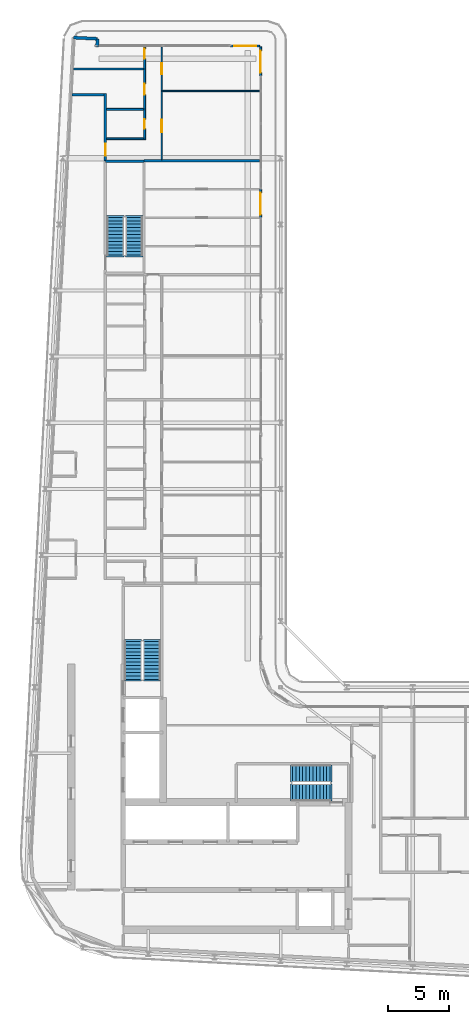
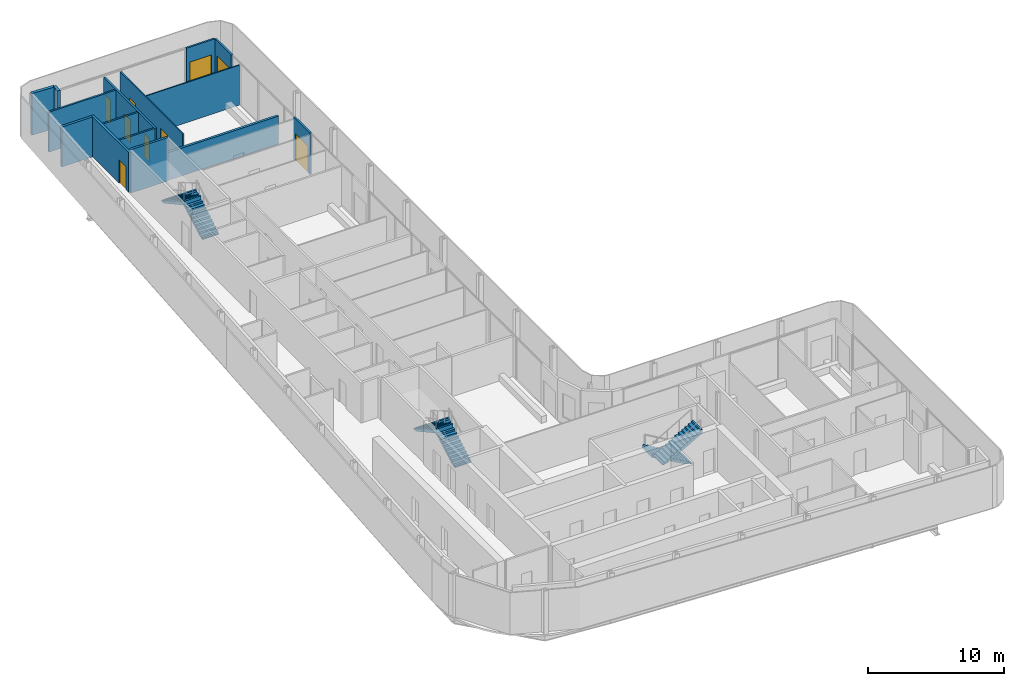
# One storey, part 15 of 21: 15 walls, 9 doors, 6 stair flights, 9 openings, 3 elements without a shape of their own.
"""IFC4 building model written with IfcOpenShell, lengths in metres."""

from ifc_helpers import new_model, si_unit, direction, frame, frame_2d, origin, place, context, subcontext, project, spatial, polyline, rectangle, outline, extrude, source, transform, mapped, material, layer, layer_set, type_object, element, fill, aggregate, save


model = new_model("IFC4")

# Units and contexts
model_context = context("Model", 3, precision=1e-05, world=origin(), true_north=direction((0.0, 1.0)))
body_context = subcontext(model_context, "Body", "Model", "MODEL_VIEW")
ifc_project = project(units=[si_unit("LENGTHUNIT", "METRE"), si_unit("AREAUNIT", "SQUARE_METRE"), si_unit("VOLUMEUNIT", "CUBIC_METRE"), si_unit("PLANEANGLEUNIT", "RADIAN"), si_unit("MASSUNIT", "GRAM", prefix="KILO")], contexts=[model_context])

# Site, building, storey
site_placement = place(None, origin())
site = spatial("IfcSite", under=ifc_project, at=site_placement, CompositionType="ELEMENT")
building_placement = place(site_placement, origin())
building = spatial("IfcBuilding", under=site, at=building_placement, Name="Kheshtan School and Residences Tower", CompositionType="ELEMENT")
storey_placement = place(building_placement, frame((0.0, 0.0, 309.800048828125)))
storey = spatial("IfcBuildingStorey", under=building, at=storey_placement, Name="L73", CompositionType="ELEMENT", Elevation=309.800048828125)

# Wall
ifc_material_1 = material(Name="Gypsum board on steel studs with fire boards", Category="steel")
ifc_layer_1 = layer(ifc_material_1, 0.199951171875)
ifc_layer_set_1 = layer_set([ifc_layer_1], Name="Corridor wall 200")
wall_type_1 = type_object("IfcWallType", Name="Corridor wall 200", PredefinedType="PARTITIONING", material=ifc_layer_set_1)
wall_1_placement = place(storey_placement, frame((30.584716796875, 94.0, 0.0), z_axis=(0.0, 0.0, 1.0), x_axis=(1.0, 0.0, 0.0)))
element("IfcWall", 1, at=wall_1_placement, inside=storey, type_object=wall_type_1, Name="Partition L73-002", PredefinedType="PARTITIONING", context=body_context, shape_type="SweptSolid", body=[
    extrude(rectangle(XDim=2.615234375, YDim=0.199951171875, at=frame_2d((1.3076171875, 0.0))), origin(), (0.0, 0.0, 1.0), 3.599853515625),
])

# Wall, opening, door
wall_2_placement = place(storey_placement, frame((33.300048828125, 88.60009765625, 0.0), z_axis=(0.0, 0.0, 1.0), x_axis=(0.0, 1.0, 0.0)))
wall_2 = element("IfcWall", 2, at=wall_2_placement, inside=storey, type_object=wall_type_1, Name="Partition L73-004", PredefinedType="PARTITIONING", context=body_context, shape_type="SweptSolid", body=[
    extrude(rectangle(XDim=5.5, YDim=0.199951171875, at=frame_2d((2.75, 0.0))), origin(), (0.0, 0.0, 1.0), 3.599853515625),
])
opening_1_placement = place(wall_2_placement, frame((0.39990234375, 0.0, 0.0)))
opening_1 = element("IfcOpeningElement", 3, at=opening_1_placement, cuts=wall_2, Name="Opening D72-033", PredefinedType="OPENING", context=body_context, shape_type="SweptSolid", body=[
    extrude(rectangle(XDim=1.0, YDim=2.10009765625, at=frame_2d((0.5, 1.050048828125))), frame((0.0, 0.10986328125, 0.0), z_axis=(0.0, -1.0, 0.0), x_axis=(1.0, 0.0, 0.0)), (0.0, 0.0, 1.0), 0.219970703125),
])
ifc_material_2 = material(Name="Steel-framed fire-resisting door leaf", Category="steel")
door_type_1 = type_object("IfcDoorType", Name="Fire door FD30S 1000 x 2100", OperationType="SINGLE_SWING_LEFT", PredefinedType="DOOR", material=ifc_material_2)
shared_shape_1 = source(origin(), body_context, "Body", "SweptSolid", [
    extrude(rectangle(XDim=1.0, YDim=2.10009765625, at=frame_2d((0.5, 1.050048828125))), frame((0.0, 0.02490234375, 0.0), z_axis=(0.0, -1.0, 0.0), x_axis=(1.0, 0.0, 0.0)), (0.0, 0.0, 1.0), 0.050048828125),
])
door_1_placement = place(opening_1_placement, origin())
door_1 = element("IfcDoor", 4, at=door_1_placement, inside=storey, type_object=door_type_1, Name="Door D72-033", OperationType="SINGLE_SWING_LEFT", OverallHeight=2.10009765625, OverallWidth=1.0, PredefinedType="DOOR", context=body_context, shape_type="MappedRepresentation", body=[
    mapped(shared_shape_1, transform((0.0, 0.0, 0.0), x_axis=(1.0, 0.0, 0.0), y_axis=(0.0, 1.0, 0.0), z_axis=(0.0, 0.0, 1.0), scale=1.0)),
])
fill(opening_1, door_1)

# Walls
ifc_material_3 = material(Name="Concrete C40/50 with ceramic cladding and mineral wool insulation", Category="concrete")
ifc_layer_2 = layer(ifc_material_3, 0.25)
ifc_layer_set_2 = layer_set([ifc_layer_2], Name="External wall 250 ceramic clad")
wall_type_2 = type_object("IfcWallType", Name="External wall 250 ceramic clad", PredefinedType="SOLIDWALL", material=ifc_layer_set_2)
wall_3_placement = place(storey_placement, frame((30.705078125, 98.6640625, 0.0), z_axis=(0.0, 0.0, 1.0), x_axis=(0.998577785791, -0.053314216913, 0.0)))
element("IfcWall", 5, at=wall_3_placement, inside=storey, type_object=wall_type_2, Name="External wall L73 5", PredefinedType="SOLIDWALL", context=body_context, shape_type="SweptSolid", body=[
    extrude(rectangle(XDim=1.95068359375, YDim=0.25, at=frame_2d((0.975341796875, 0.0))), origin(), (0.0, 0.0, 1.0), 3.75),
])
wall_4_placement = place(storey_placement, frame((32.653076171875, 98.56005859375, 0.0), z_axis=(0.0, 0.0, 1.0), x_axis=(-0.054093451632, -0.998535877418, 0.0)))
element("IfcWall", 6, at=wall_4_placement, inside=storey, type_object=wall_type_2, Name="External wall L73 6", PredefinedType="SOLIDWALL", context=body_context, shape_type="SweptSolid", body=[
    extrude(rectangle(XDim=0.66796875, YDim=0.25, at=frame_2d((0.333984375, 0.0))), origin(), (0.0, 0.0, 1.0), 3.75),
])

# Wall, opening, door
ifc_material_4 = material(Name="Aluminium frame wall with insulated infill", Category="aluminium")
ifc_layer_3 = layer(ifc_material_4, 0.14990234375)
ifc_layer_set_3 = layer_set([ifc_layer_3], Name="Glazing frame wall 150")
wall_type_3 = type_object("IfcWallType", Name="Glazing frame wall 150", PredefinedType="SOLIDWALL", material=ifc_layer_set_3)
wall_5_placement = place(storey_placement, frame((43.5, 97.97509765625, 0.0), z_axis=(0.0, 0.0, 1.0), x_axis=(1.0, 0.0, 0.0)))
wall_5 = element("IfcWall", 7, at=wall_5_placement, inside=storey, type_object=wall_type_3, Name="Balcony door wall L73 7.1", PredefinedType="SOLIDWALL", context=body_context, shape_type="SweptSolid", body=[
    extrude(rectangle(XDim=2.39990234375, YDim=0.14990234375, at=frame_2d((1.199951171875, 0.0))), origin(), (0.0, 0.0, 1.0), 3.75),
])
opening_2_placement = place(wall_5_placement, frame((0.300048828125, 0.0, 0.0)))
opening_2 = element("IfcOpeningElement", 8, at=opening_2_placement, cuts=wall_5, Name="Opening BD", PredefinedType="OPENING", context=body_context, shape_type="SweptSolid", body=[
    extrude(rectangle(XDim=1.800048828125, YDim=2.39990234375, at=frame_2d((0.89990234375, 1.199951171875))), frame((0.0, 0.0849609375, 0.0), z_axis=(0.0, -1.0, 0.0), x_axis=(1.0, 0.0, 0.0)), (0.0, 0.0, 1.0), 0.169921875),
])
ifc_material_5 = material(Name="Clear low-e glass in thermally broken aluminium frame", Category="aluminium")
door_type_2 = type_object("IfcDoorType", Name="Balcony sliding door", OperationType="SLIDING_TO_LEFT", PredefinedType="DOOR", material=ifc_material_5)
shared_shape_2 = source(origin(), body_context, "Body", "SweptSolid", [
    extrude(rectangle(XDim=1.800048828125, YDim=2.39990234375, at=frame_2d((0.89990234375, 1.199951171875))), frame((0.0, 0.02490234375, 0.0), z_axis=(0.0, -1.0, 0.0), x_axis=(1.0, 0.0, 0.0)), (0.0, 0.0, 1.0), 0.050048828125),
])
door_2_placement = place(opening_2_placement, origin())
door_2 = element("IfcDoor", 9, at=door_2_placement, inside=storey, type_object=door_type_2, Name="Balcony door L73 7.1", OperationType="SLIDING_TO_LEFT", OverallHeight=2.39990234375, OverallWidth=1.800048828125, PredefinedType="DOOR", context=body_context, shape_type="MappedRepresentation", body=[
    mapped(shared_shape_2, transform((0.0, 0.0, 0.0), x_axis=(1.0, 0.0, 0.0), y_axis=(0.0, 1.0, 0.0), z_axis=(0.0, 0.0, 1.0), scale=1.0)),
])
fill(opening_2, door_2)

wall_6_placement = place(storey_placement, frame((45.97509765625, 97.89990234375, 0.0), z_axis=(0.0, 0.0, 1.0), x_axis=(0.0, -1.0, 0.0)))
wall_6 = element("IfcWall", 10, at=wall_6_placement, inside=storey, type_object=wall_type_3, Name="Balcony door wall L73 8.1", PredefinedType="SOLIDWALL", context=body_context, shape_type="SweptSolid", body=[
    extrude(rectangle(XDim=2.39990234375, YDim=0.14990234375, at=frame_2d((1.199951171875, 0.0))), origin(), (0.0, 0.0, 1.0), 3.75),
])
opening_3_placement = place(wall_6_placement, frame((0.300048828125, 0.0, 0.0)))
opening_3 = element("IfcOpeningElement", 11, at=opening_3_placement, cuts=wall_6, Name="Opening BD", PredefinedType="OPENING", context=body_context, shape_type="SweptSolid", body=[
    extrude(rectangle(XDim=1.800048828125, YDim=2.39990234375, at=frame_2d((0.89990234375, 1.199951171875))), frame((0.0, 0.0849609375, 0.0), z_axis=(0.0, -1.0, 0.0), x_axis=(1.0, 0.0, 0.0)), (0.0, 0.0, 1.0), 0.169921875),
])
door_3_placement = place(opening_3_placement, origin())
door_3 = element("IfcDoor", 12, at=door_3_placement, inside=storey, type_object=door_type_2, Name="Balcony door L73 8.1", OperationType="SLIDING_TO_LEFT", OverallHeight=2.39990234375, OverallWidth=1.800048828125, PredefinedType="DOOR", context=body_context, shape_type="MappedRepresentation", body=[
    mapped(shared_shape_2, transform((0.0, 0.0, 0.0), x_axis=(1.0, 0.0, 0.0), y_axis=(0.0, 1.0, 0.0), z_axis=(0.0, 0.0, 1.0), scale=1.0)),
])
fill(opening_3, door_3)

wall_7_placement = place(storey_placement, frame((45.97509765625, 86.305908203125, 0.0), z_axis=(0.0, 0.0, 1.0), x_axis=(0.0, -1.0, 0.0)))
wall_7 = element("IfcWall", 13, at=wall_7_placement, inside=storey, type_object=wall_type_3, Name="Balcony door wall L73 8.2", PredefinedType="SOLIDWALL", context=body_context, shape_type="SweptSolid", body=[
    extrude(rectangle(XDim=2.39990234375, YDim=0.14990234375, at=frame_2d((1.199951171875, 0.0))), origin(), (0.0, 0.0, 1.0), 3.75),
])
opening_4_placement = place(wall_7_placement, frame((0.300048828125, 0.0, 0.0)))
opening_4 = element("IfcOpeningElement", 14, at=opening_4_placement, cuts=wall_7, Name="Opening BD", PredefinedType="OPENING", context=body_context, shape_type="SweptSolid", body=[
    extrude(rectangle(XDim=1.800048828125, YDim=2.39990234375, at=frame_2d((0.89990234375, 1.199951171875))), frame((0.0, 0.0849609375, 0.0), z_axis=(0.0, -1.0, 0.0), x_axis=(1.0, 0.0, 0.0)), (0.0, 0.0, 1.0), 0.169921875),
])
door_4_placement = place(opening_4_placement, origin())
door_4 = element("IfcDoor", 15, at=door_4_placement, inside=storey, type_object=door_type_2, Name="Balcony door L73 8.2", OperationType="SLIDING_TO_LEFT", OverallHeight=2.39990234375, OverallWidth=1.800048828125, PredefinedType="DOOR", context=body_context, shape_type="MappedRepresentation", body=[
    mapped(shared_shape_2, transform((0.0, 0.0, 0.0), x_axis=(1.0, 0.0, 0.0), y_axis=(0.0, 1.0, 0.0), z_axis=(0.0, 0.0, 1.0), scale=1.0)),
])
fill(opening_4, door_4)

# Wall, openings, doors
ifc_material_6 = material(Name="Gypsum board on steel studs", Category="steel")
ifc_layer_4 = layer(ifc_material_6, 0.10009765625)
ifc_layer_set_4 = layer_set([ifc_layer_4], Name="Gypsum partition 100")
wall_type_4 = type_object("IfcWallType", Name="Gypsum partition 100", PredefinedType="PARTITIONING", material=ifc_layer_set_4)
wall_8_placement = place(storey_placement, frame((37.89990234375, 88.699951171875, 0.0), z_axis=(0.0, 0.0, 1.0), x_axis=(0.0, 1.0, 0.0)))
wall_8 = element("IfcWall", 16, at=wall_8_placement, inside=storey, type_object=wall_type_4, Name="Partition L73-032", PredefinedType="PARTITIONING", context=body_context, shape_type="SweptSolid", body=[
    extrude(rectangle(XDim=9.199951171875, YDim=0.10009765625, at=frame_2d((4.60009765625, 0.0))), origin(), (0.0, 0.0, 1.0), 3.599853515625),
])
opening_5_placement = place(wall_8_placement, frame((6.949951171875, 0.0, 0.0)))
opening_5 = element("IfcOpeningElement", 17, at=opening_5_placement, cuts=wall_8, Name="Opening D72-032", PredefinedType="OPENING", context=body_context, shape_type="SweptSolid", body=[
    extrude(rectangle(XDim=0.89990234375, YDim=2.10009765625, at=frame_2d((0.449951171875, 1.050048828125))), frame((0.0, 0.06005859375, 0.0), z_axis=(0.0, -1.0, 0.0), x_axis=(1.0, 0.0, 0.0)), (0.0, 0.0, 1.0), 0.1201171875),
])
opening_6_placement = place(wall_8_placement, frame((2.25, 0.0, 0.0)))
opening_6 = element("IfcOpeningElement", 18, at=opening_6_placement, cuts=wall_8, Name="Opening D72-035", PredefinedType="OPENING", context=body_context, shape_type="SweptSolid", body=[
    extrude(rectangle(XDim=1.0, YDim=2.10009765625, at=frame_2d((0.5, 1.050048828125))), frame((0.0, 0.06005859375, 0.0), z_axis=(0.0, -1.0, 0.0), x_axis=(1.0, 0.0, 0.0)), (0.0, 0.0, 1.0), 0.1201171875),
])
ifc_material_7 = material(Name="Veneered timber door leaf", Category="wood")
door_type_3 = type_object("IfcDoorType", Name="Door 1000 x 2100", OperationType="SINGLE_SWING_LEFT", PredefinedType="DOOR", material=ifc_material_7)
shared_shape_3 = source(origin(), body_context, "Body", "SweptSolid", [
    extrude(rectangle(XDim=1.0, YDim=2.10009765625, at=frame_2d((0.5, 1.050048828125))), frame((0.0, 0.02490234375, 0.0), z_axis=(0.0, -1.0, 0.0), x_axis=(1.0, 0.0, 0.0)), (0.0, 0.0, 1.0), 0.050048828125),
])
door_5_placement = place(opening_6_placement, origin())
door_5 = element("IfcDoor", 19, at=door_5_placement, inside=storey, type_object=door_type_3, Name="Door D72-035", OperationType="SINGLE_SWING_RIGHT", OverallHeight=2.10009765625, OverallWidth=1.0, PredefinedType="DOOR", context=body_context, shape_type="MappedRepresentation", body=[
    mapped(shared_shape_3, transform((0.0, 0.0, 0.0), x_axis=(1.0, 0.0, 0.0), y_axis=(0.0, 1.0, 0.0), z_axis=(0.0, 0.0, 1.0), scale=1.0)),
])
fill(opening_6, door_5)
door_type_4 = type_object("IfcDoorType", Name="Door 900 x 2100", OperationType="SINGLE_SWING_LEFT", PredefinedType="DOOR", material=ifc_material_7)
shared_shape_4 = source(origin(), body_context, "Body", "SweptSolid", [
    extrude(rectangle(XDim=0.89990234375, YDim=2.10009765625, at=frame_2d((0.449951171875, 1.050048828125))), frame((0.0, 0.02490234375, 0.0), z_axis=(0.0, -1.0, 0.0), x_axis=(1.0, 0.0, 0.0)), (0.0, 0.0, 1.0), 0.050048828125),
])
door_6_placement = place(opening_5_placement, origin())
door_6 = element("IfcDoor", 20, at=door_6_placement, inside=storey, type_object=door_type_4, Name="Door D72-032", OperationType="SINGLE_SWING_RIGHT", OverallHeight=2.10009765625, OverallWidth=0.89990234375, PredefinedType="DOOR", context=body_context, shape_type="MappedRepresentation", body=[
    mapped(shared_shape_4, transform((0.0, 0.0, 0.0), x_axis=(1.0, 0.0, 0.0), y_axis=(0.0, 1.0, 0.0), z_axis=(0.0, 0.0, 1.0), scale=1.0)),
])
fill(opening_5, door_6)

# Walls
wall_9_placement = place(storey_placement, frame((37.949951171875, 94.300048828125, 0.0), z_axis=(0.0, 0.0, 1.0), x_axis=(1.0, 0.0, 0.0)))
element("IfcWall", 21, at=wall_9_placement, inside=storey, type_object=wall_type_4, Name="Partition L73-033", PredefinedType="PARTITIONING", context=body_context, shape_type="SweptSolid", body=[
    extrude(rectangle(XDim=7.949951171875, YDim=0.10009765625, at=frame_2d((3.97509765625, 0.0))), origin(), (0.0, 0.0, 1.0), 3.599853515625),
])
ifc_material_8 = material(Name="Concrete C40/50", Category="concrete")
ifc_layer_5 = layer(ifc_material_8, 0.199951171875)
ifc_layer_set_5 = layer_set([ifc_layer_5], Name="Stair enclosure wall 200 Concrete C40/50")
wall_type_5 = type_object("IfcWallType", Name="Stair enclosure wall 200 Concrete C40/50", PredefinedType="SHEAR", material=ifc_layer_set_5)
wall_10_placement = place(storey_placement, frame((33.300048828125, 88.56005859375, 0.0), z_axis=(0.0, 0.0, 1.0), x_axis=(1.0, 0.0, 0.0)))
element("IfcWall", 22, at=wall_10_placement, inside=storey, type_object=wall_type_5, Name="Stair enclosure wall ST3", PredefinedType="SHEAR", context=body_context, shape_type="SweptSolid", body=[
    extrude(rectangle(XDim=3.14990234375, YDim=0.199951171875, at=frame_2d((1.574951171875, 0.0))), origin(), (0.0, 0.0, 1.0), 3.89990234375),
])
ifc_material_9 = material(Name="Twin gypsum board on steel studs with mineral wool", Category="steel")
ifc_layer_6 = layer(ifc_material_9, 0.199951171875)
ifc_layer_set_6 = layer_set([ifc_layer_6], Name="Unit demising wall 200")
wall_type_6 = type_object("IfcWallType", Name="Unit demising wall 200", PredefinedType="PARTITIONING", material=ifc_layer_set_6)
wall_11_placement = place(storey_placement, frame((36.449951171875, 88.60009765625, 0.0), z_axis=(0.0, 0.0, 1.0), x_axis=(1.0, 0.0, 0.0)))
element("IfcWall", 23, at=wall_11_placement, inside=storey, type_object=wall_type_6, Name="Partition L73-024", PredefinedType="PARTITIONING", context=body_context, shape_type="SweptSolid", body=[
    extrude(rectangle(XDim=9.449951171875, YDim=0.199951171875, at=frame_2d((4.72509765625, 0.0))), origin(), (0.0, 0.0, 1.0), 2.5),
])
ifc_material_10 = material(Name="Moisture-resistant gypsum board on steel studs", Category="steel")
ifc_layer_7 = layer(ifc_material_10, 0.14990234375)
ifc_layer_set_7 = layer_set([ifc_layer_7], Name="Wet-room partition 150")
wall_type_7 = type_object("IfcWallType", Name="Wet-room partition 150", PredefinedType="PARTITIONING", material=ifc_layer_set_7)
wall_12_placement = place(storey_placement, frame((30.695068359375, 96.10009765625, 0.0), z_axis=(0.0, 0.0, 1.0), x_axis=(1.0, 0.0, 0.0)))
element("IfcWall", 24, at=wall_12_placement, inside=storey, type_object=wall_type_7, Name="Partition L73-001", PredefinedType="PARTITIONING", context=body_context, shape_type="SweptSolid", body=[
    extrude(rectangle(XDim=5.72998046875, YDim=0.14990234375, at=frame_2d((2.864990234375, 0.0))), origin(), (0.0, 0.0, 1.0), 3.599853515625),
])
for number, where, z_axis, x_axis, name in (
    (25, (33.39990234375, 90.39990234375, 0.0), (0.0, 0.0, 1.0), (1.0, 0.0, 0.0), "Partition L73-016"),
    (26, (33.39990234375, 92.800048828125, 0.0), (0.0, 0.0, 1.0), (1.0, 0.0, 0.0), "Partition L73-017"),
):
    element("IfcWall", number, at=place(storey_placement, frame(where, z_axis=z_axis, x_axis=x_axis)), inside=storey, type_object=wall_type_7, Name=name, PredefinedType="PARTITIONING", context=body_context, shape_type="SweptSolid", body=[
        extrude(rectangle(XDim=3.025146484375, YDim=0.14990234375, at=frame_2d((1.5126953125, 0.0))), origin(), (0.0, 0.0, 1.0), 3.599853515625),
    ])

# Wall, openings, doors
wall_13_placement = place(storey_placement, frame((36.5, 90.324951171875, 0.0), z_axis=(0.0, 0.0, 1.0), x_axis=(0.0, 1.0, 0.0)))
wall_13 = element("IfcWall", 27, at=wall_13_placement, inside=storey, type_object=wall_type_7, Name="Partition L73-025", PredefinedType="PARTITIONING", context=body_context, shape_type="SweptSolid", body=[
    extrude(rectangle(XDim=7.574951171875, YDim=0.14990234375, at=frame_2d((3.78759765625, 0.0))), origin(), (0.0, 0.0, 1.0), 3.599853515625),
])
opening_7_placement = place(wall_13_placement, frame((0.875, 0.0, 0.0)))
opening_7 = element("IfcOpeningElement", 28, at=opening_7_placement, cuts=wall_13, Name="Opening D72-031", PredefinedType="OPENING", context=body_context, shape_type="SweptSolid", body=[
    extrude(rectangle(XDim=0.800048828125, YDim=2.10009765625, at=frame_2d((0.39990234375, 1.050048828125))), frame((0.0, 0.0849609375, 0.0), z_axis=(0.0, -1.0, 0.0), x_axis=(1.0, 0.0, 0.0)), (0.0, 0.0, 1.0), 0.169921875),
])
opening_8_placement = place(wall_13_placement, frame((3.675048828125, 0.0, 0.0)))
opening_8 = element("IfcOpeningElement", 29, at=opening_8_placement, cuts=wall_13, Name="Opening D72-034", PredefinedType="OPENING", context=body_context, shape_type="SweptSolid", body=[
    extrude(rectangle(XDim=0.89990234375, YDim=2.10009765625, at=frame_2d((0.449951171875, 1.050048828125))), frame((0.0, 0.0849609375, 0.0), z_axis=(0.0, -1.0, 0.0), x_axis=(1.0, 0.0, 0.0)), (0.0, 0.0, 1.0), 0.169921875),
])
opening_9_placement = place(wall_13_placement, frame((6.625, 0.0, 0.0)))
opening_9 = element("IfcOpeningElement", 30, at=opening_9_placement, cuts=wall_13, Name="Opening D72-036", PredefinedType="OPENING", context=body_context, shape_type="SweptSolid", body=[
    extrude(rectangle(XDim=0.800048828125, YDim=2.10009765625, at=frame_2d((0.39990234375, 1.050048828125))), frame((0.0, 0.0849609375, 0.0), z_axis=(0.0, -1.0, 0.0), x_axis=(1.0, 0.0, 0.0)), (0.0, 0.0, 1.0), 0.169921875),
])
door_type_5 = type_object("IfcDoorType", Name="Door 800 x 2100", OperationType="SINGLE_SWING_LEFT", PredefinedType="DOOR", material=ifc_material_7)
shared_shape_5 = source(origin(), body_context, "Body", "SweptSolid", [
    extrude(rectangle(XDim=0.800048828125, YDim=2.10009765625, at=frame_2d((0.39990234375, 1.050048828125))), frame((0.0, 0.02490234375, 0.0), z_axis=(0.0, -1.0, 0.0), x_axis=(1.0, 0.0, 0.0)), (0.0, 0.0, 1.0), 0.050048828125),
])
door_7_placement = place(opening_7_placement, origin())
door_7 = element("IfcDoor", 31, at=door_7_placement, inside=storey, type_object=door_type_5, Name="Door D72-031", OperationType="SINGLE_SWING_LEFT", OverallHeight=2.10009765625, OverallWidth=0.800048828125, PredefinedType="DOOR", context=body_context, shape_type="MappedRepresentation", body=[
    mapped(shared_shape_5, transform((0.0, 0.0, 0.0), x_axis=(1.0, 0.0, 0.0), y_axis=(0.0, 1.0, 0.0), z_axis=(0.0, 0.0, 1.0), scale=1.0)),
])
fill(opening_7, door_7)
door_8_placement = place(opening_9_placement, origin())
door_8 = element("IfcDoor", 32, at=door_8_placement, inside=storey, type_object=door_type_5, Name="Door D72-036", OperationType="SINGLE_SWING_LEFT", OverallHeight=2.10009765625, OverallWidth=0.800048828125, PredefinedType="DOOR", context=body_context, shape_type="MappedRepresentation", body=[
    mapped(shared_shape_5, transform((0.0, 0.0, 0.0), x_axis=(1.0, 0.0, 0.0), y_axis=(0.0, 1.0, 0.0), z_axis=(0.0, 0.0, 1.0), scale=1.0)),
])
fill(opening_9, door_8)
door_9_placement = place(opening_8_placement, origin())
door_9 = element("IfcDoor", 33, at=door_9_placement, inside=storey, type_object=door_type_4, Name="Door D72-034", OperationType="SINGLE_SWING_LEFT", OverallHeight=2.10009765625, OverallWidth=0.89990234375, PredefinedType="DOOR", context=body_context, shape_type="MappedRepresentation", body=[
    mapped(shared_shape_4, transform((0.0, 0.0, 0.0), x_axis=(1.0, 0.0, 0.0), y_axis=(0.0, 1.0, 0.0), z_axis=(0.0, 0.0, 1.0), scale=1.0)),
])
fill(opening_8, door_9)

# Stair, stair flights
stair_type = type_object("IfcStairType", Name="Exit stair, half-turn", PredefinedType="HALF_TURN_STAIR", material=ifc_material_8)
stair_1_placement = place(storey_placement, origin())
stair_1 = element("IfcStair", 34, at=stair_1_placement, inside=storey, type_object=stair_type, Name="L73 Protected Exit Stair ST1", PredefinedType="HALF_TURN_STAIR")
ifc_layer_8 = layer(ifc_material_8, 0.14990234375)
ifc_layer_set_8 = layer_set([ifc_layer_8], Name="Stair flight 1400 Concrete C40/50")
stair_flight_type = type_object("IfcStairFlightType", Name="Stair flight 1400 Concrete C40/50", PredefinedType="STRAIGHT", material=ifc_layer_set_8)
stair_flight_1_placement = place(storey_placement, frame((51.64990234375, 38.550048828125, 0.0), z_axis=(0.0, 0.0, 1.0), x_axis=(-1.0, 0.0, 0.0)))
stair_flight_1 = element("IfcStairFlight", 35, at=stair_flight_1_placement, type_object=stair_flight_type, Name="ST1 flight 1", NumberOfRisers=12, NumberOfTreads=11, PredefinedType="STRAIGHT", RiserHeight=0.1625, TreadLength=0.28, context=body_context, shape_type="SweptSolid", body=[
    extrude(outline(polyline([(-0.14990234375, -0.10009765625), (-0.14990234375, 0.0), (0.0, 0.0), (0.0, 0.16259765625), (0.280029296875, 0.16259765625), (0.280029296875, 0.324951171875), (0.56005859375, 0.324951171875), (0.56005859375, 0.487548828125), (0.840087890625, 0.487548828125), (0.840087890625, 0.64990234375), (1.1201171875, 0.64990234375), (1.1201171875, 0.8125), (1.39990234375, 0.8125), (1.39990234375, 0.97509765625), (1.679931640625, 0.97509765625), (1.679931640625, 1.137451171875), (1.9599609375, 1.137451171875), (1.9599609375, 1.300048828125), (2.239990234375, 1.300048828125), (2.239990234375, 1.46240234375), (2.52001953125, 1.46240234375), (2.52001953125, 1.625), (2.800048828125, 1.625), (2.800048828125, 1.78759765625), (3.080078125, 1.78759765625), (3.080078125, 1.949951171875), (3.080078125, 1.969970703125), (3.22998046875, 1.969970703125), (3.22998046875, 1.6142578125), (0.298583984375, 0.0), (-0.14990234375, -0.10009765625)])), frame((0.0, 0.699951171875, 0.0), z_axis=(0.0, -1.0, 0.0), x_axis=(1.0, 0.0, 0.0)), (0.0, 0.0, 1.0), 1.39990234375),
])
stair_flight_2_placement = place(storey_placement, frame((48.570068359375, 37.0, 1.949951171875), z_axis=(0.0, 0.0, 1.0), x_axis=(1.0, 0.0, 0.0)))
stair_flight_2 = element("IfcStairFlight", 36, at=stair_flight_2_placement, type_object=stair_flight_type, Name="ST1 flight 2", NumberOfRisers=12, NumberOfTreads=11, PredefinedType="STRAIGHT", RiserHeight=0.1625, TreadLength=0.28, context=body_context, shape_type="SweptSolid", body=[
    extrude(outline(polyline([(-0.14990234375, -0.10009765625), (-0.14990234375, 0.0), (0.0, 0.0), (0.0, 0.16259765625), (0.280029296875, 0.16259765625), (0.280029296875, 0.324951171875), (0.56005859375, 0.324951171875), (0.56005859375, 0.487548828125), (0.840087890625, 0.487548828125), (0.840087890625, 0.64990234375), (1.1201171875, 0.64990234375), (1.1201171875, 0.8125), (1.39990234375, 0.8125), (1.39990234375, 0.97509765625), (1.679931640625, 0.97509765625), (1.679931640625, 1.137451171875), (1.9599609375, 1.137451171875), (1.9599609375, 1.300048828125), (2.239990234375, 1.300048828125), (2.239990234375, 1.46240234375), (2.52001953125, 1.46240234375), (2.52001953125, 1.625), (2.800048828125, 1.625), (2.800048828125, 1.78759765625), (3.080078125, 1.78759765625), (3.080078125, 1.949951171875), (3.080078125, 1.969970703125), (3.22998046875, 1.969970703125), (3.22998046875, 1.6142578125), (0.298583984375, 0.0), (-0.14990234375, -0.10009765625)])), frame((0.0, 0.699951171875, 0.0), z_axis=(0.0, -1.0, 0.0), x_axis=(1.0, 0.0, 0.0)), (0.0, 0.0, 1.0), 1.39990234375),
])
aggregate(stair_1, [stair_flight_1, stair_flight_2])

stair_2_placement = place(storey_placement, origin())
stair_2 = element("IfcStair", 37, at=stair_2_placement, inside=storey, type_object=stair_type, Name="L73 Protected Exit Stair ST2", PredefinedType="HALF_TURN_STAIR")
stair_flight_3_placement = place(storey_placement, frame((37.10009765625, 46.25, 0.0), z_axis=(0.0, 0.0, 1.0), x_axis=(0.0, 1.0, 0.0)))
stair_flight_3 = element("IfcStairFlight", 38, at=stair_flight_3_placement, type_object=stair_flight_type, Name="ST2 flight 1", NumberOfRisers=12, NumberOfTreads=11, PredefinedType="STRAIGHT", RiserHeight=0.1625, TreadLength=0.28, context=body_context, shape_type="SweptSolid", body=[
    extrude(outline(polyline([(-0.14990234375, -0.10009765625), (-0.14990234375, 0.0), (0.0, 0.0), (0.0, 0.16259765625), (0.280029296875, 0.16259765625), (0.280029296875, 0.324951171875), (0.56005859375, 0.324951171875), (0.56005859375, 0.487548828125), (0.840087890625, 0.487548828125), (0.840087890625, 0.64990234375), (1.1201171875, 0.64990234375), (1.1201171875, 0.8125), (1.39990234375, 0.8125), (1.39990234375, 0.97509765625), (1.679931640625, 0.97509765625), (1.679931640625, 1.137451171875), (1.9599609375, 1.137451171875), (1.9599609375, 1.300048828125), (2.239990234375, 1.300048828125), (2.239990234375, 1.46240234375), (2.52001953125, 1.46240234375), (2.52001953125, 1.625), (2.800048828125, 1.625), (2.800048828125, 1.78759765625), (3.080078125, 1.78759765625), (3.080078125, 1.949951171875), (3.080078125, 1.969970703125), (3.22998046875, 1.969970703125), (3.22998046875, 1.6142578125), (0.298583984375, 0.0), (-0.14990234375, -0.10009765625)])), frame((0.0, 0.699951171875, 0.0), z_axis=(0.0, -1.0, 0.0), x_axis=(1.0, 0.0, 0.0)), (0.0, 0.0, 1.0), 1.39990234375),
])
stair_flight_4_placement = place(storey_placement, frame((35.550048828125, 49.330078125, 1.949951171875), z_axis=(0.0, 0.0, 1.0), x_axis=(0.0, -1.0, 0.0)))
stair_flight_4 = element("IfcStairFlight", 39, at=stair_flight_4_placement, type_object=stair_flight_type, Name="ST2 flight 2", NumberOfRisers=12, NumberOfTreads=11, PredefinedType="STRAIGHT", RiserHeight=0.1625, TreadLength=0.28, context=body_context, shape_type="SweptSolid", body=[
    extrude(outline(polyline([(-0.14990234375, -0.10009765625), (-0.14990234375, 0.0), (0.0, 0.0), (0.0, 0.16259765625), (0.280029296875, 0.16259765625), (0.280029296875, 0.324951171875), (0.56005859375, 0.324951171875), (0.56005859375, 0.487548828125), (0.840087890625, 0.487548828125), (0.840087890625, 0.64990234375), (1.1201171875, 0.64990234375), (1.1201171875, 0.8125), (1.39990234375, 0.8125), (1.39990234375, 0.97509765625), (1.679931640625, 0.97509765625), (1.679931640625, 1.137451171875), (1.9599609375, 1.137451171875), (1.9599609375, 1.300048828125), (2.239990234375, 1.300048828125), (2.239990234375, 1.46240234375), (2.52001953125, 1.46240234375), (2.52001953125, 1.625), (2.800048828125, 1.625), (2.800048828125, 1.78759765625), (3.080078125, 1.78759765625), (3.080078125, 1.949951171875), (3.080078125, 1.969970703125), (3.22998046875, 1.969970703125), (3.22998046875, 1.6142578125), (0.298583984375, 0.0), (-0.14990234375, -0.10009765625)])), frame((0.0, 0.699951171875, 0.0), z_axis=(0.0, -1.0, 0.0), x_axis=(1.0, 0.0, 0.0)), (0.0, 0.0, 1.0), 1.39990234375),
])
aggregate(stair_2, [stair_flight_3, stair_flight_4])

stair_3_placement = place(storey_placement, origin())
stair_3 = element("IfcStair", 40, at=stair_3_placement, inside=storey, type_object=stair_type, Name="L73 Protected Exit Stair ST3", PredefinedType="HALF_TURN_STAIR")
stair_flight_5_placement = place(storey_placement, frame((35.64990234375, 80.89990234375, 0.0), z_axis=(0.0, 0.0, 1.0), x_axis=(0.0, 1.0, 0.0)))
stair_flight_5 = element("IfcStairFlight", 41, at=stair_flight_5_placement, type_object=stair_flight_type, Name="ST3 flight 1", NumberOfRisers=12, NumberOfTreads=11, PredefinedType="STRAIGHT", RiserHeight=0.1625, TreadLength=0.28, context=body_context, shape_type="SweptSolid", body=[
    extrude(outline(polyline([(-0.14990234375, -0.10009765625), (-0.14990234375, 0.0), (0.0, 0.0), (0.0, 0.16259765625), (0.280029296875, 0.16259765625), (0.280029296875, 0.324951171875), (0.56005859375, 0.324951171875), (0.56005859375, 0.487548828125), (0.840087890625, 0.487548828125), (0.840087890625, 0.64990234375), (1.1201171875, 0.64990234375), (1.1201171875, 0.8125), (1.39990234375, 0.8125), (1.39990234375, 0.97509765625), (1.679931640625, 0.97509765625), (1.679931640625, 1.137451171875), (1.9599609375, 1.137451171875), (1.9599609375, 1.300048828125), (2.239990234375, 1.300048828125), (2.239990234375, 1.46240234375), (2.52001953125, 1.46240234375), (2.52001953125, 1.625), (2.800048828125, 1.625), (2.800048828125, 1.78759765625), (3.080078125, 1.78759765625), (3.080078125, 1.949951171875), (3.080078125, 1.969970703125), (3.22998046875, 1.969970703125), (3.22998046875, 1.6142578125), (0.298583984375, 0.0), (-0.14990234375, -0.10009765625)])), frame((0.0, 0.699951171875, 0.0), z_axis=(0.0, -1.0, 0.0), x_axis=(1.0, 0.0, 0.0)), (0.0, 0.0, 1.0), 1.39990234375),
])
stair_flight_6_placement = place(storey_placement, frame((34.10009765625, 83.97998046875, 1.949951171875), z_axis=(0.0, 0.0, 1.0), x_axis=(0.0, -1.0, 0.0)))
stair_flight_6 = element("IfcStairFlight", 42, at=stair_flight_6_placement, type_object=stair_flight_type, Name="ST3 flight 2", NumberOfRisers=12, NumberOfTreads=11, PredefinedType="STRAIGHT", RiserHeight=0.1625, TreadLength=0.28, context=body_context, shape_type="SweptSolid", body=[
    extrude(outline(polyline([(-0.14990234375, -0.10009765625), (-0.14990234375, 0.0), (0.0, 0.0), (0.0, 0.16259765625), (0.280029296875, 0.16259765625), (0.280029296875, 0.324951171875), (0.56005859375, 0.324951171875), (0.56005859375, 0.487548828125), (0.840087890625, 0.487548828125), (0.840087890625, 0.64990234375), (1.1201171875, 0.64990234375), (1.1201171875, 0.8125), (1.39990234375, 0.8125), (1.39990234375, 0.97509765625), (1.679931640625, 0.97509765625), (1.679931640625, 1.137451171875), (1.9599609375, 1.137451171875), (1.9599609375, 1.300048828125), (2.239990234375, 1.300048828125), (2.239990234375, 1.46240234375), (2.52001953125, 1.46240234375), (2.52001953125, 1.625), (2.800048828125, 1.625), (2.800048828125, 1.78759765625), (3.080078125, 1.78759765625), (3.080078125, 1.949951171875), (3.080078125, 1.969970703125), (3.22998046875, 1.969970703125), (3.22998046875, 1.6142578125), (0.298583984375, 0.0), (-0.14990234375, -0.10009765625)])), frame((0.0, 0.699951171875, 0.0), z_axis=(0.0, -1.0, 0.0), x_axis=(1.0, 0.0, 0.0)), (0.0, 0.0, 1.0), 1.39990234375),
])
aggregate(stair_3, [stair_flight_5, stair_flight_6])

save(model, "model.ifc")
